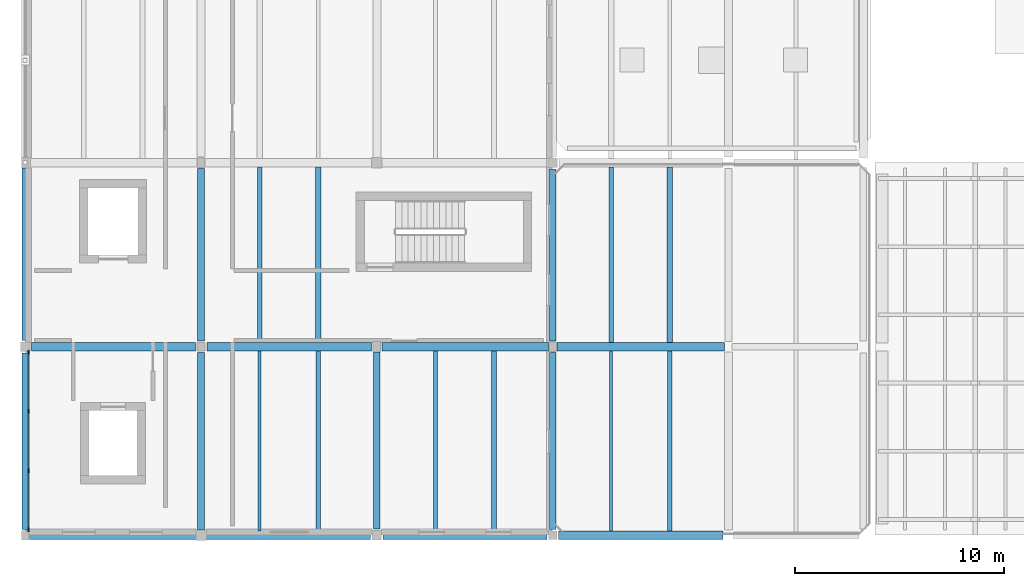
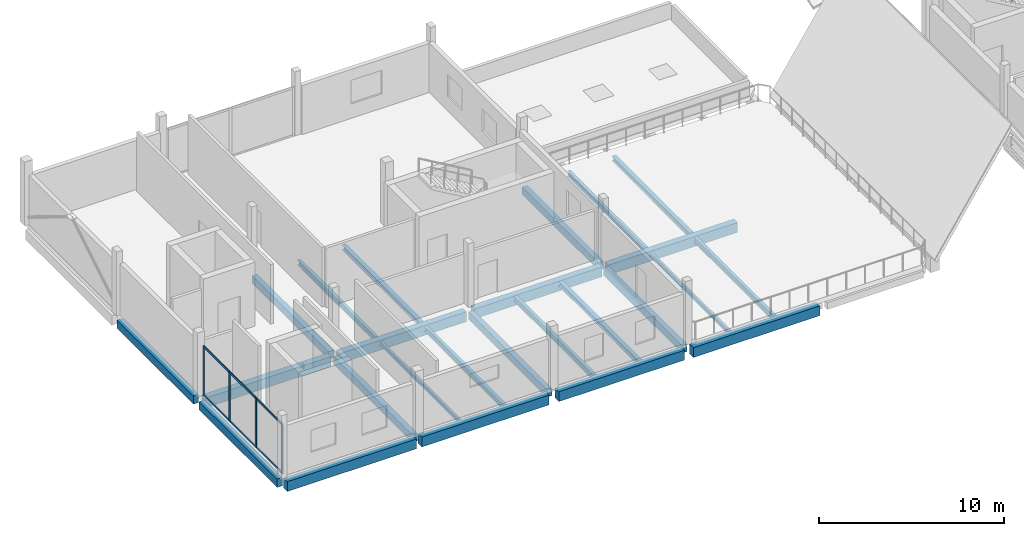
# One storey, part 3 of 35: 25 beams, 10 members, 1 element without a shape of its own.
"""IFC4 building model written with IfcOpenShell, lengths in metres."""

from ifc_helpers import new_model, si_unit, direction, frame, origin, origin_2d, place, context, subcontext, project, spatial, rectangle, i_section, extrude, material, layer, layer_set, material_profile, profile_set, type_object, element, aggregate, save


model = new_model("IFC4")

# Units and contexts
model_context = context("Model", 3, precision=1e-05, world=origin(), true_north=direction((0.0, 1.0)))
body_context = subcontext(model_context, "Body", "Model", "MODEL_VIEW")
ifc_project = project(units=[si_unit("LENGTHUNIT", "METRE"), si_unit("AREAUNIT", "SQUARE_METRE"), si_unit("VOLUMEUNIT", "CUBIC_METRE"), si_unit("PLANEANGLEUNIT", "RADIAN"), si_unit("MASSUNIT", "GRAM", prefix="KILO")], contexts=[model_context])

# Site, building, storey
site_placement = place(None, origin())
site = spatial("IfcSite", under=ifc_project, at=site_placement, CompositionType="ELEMENT")
building_placement = place(site_placement, origin())
building = spatial("IfcBuilding", under=site, at=building_placement, Name="Birchvale Park Specialist Clinic", CompositionType="ELEMENT")
storey_placement = place(building_placement, frame((0.0, 0.0, 13.800048828125)))
storey = spatial("IfcBuildingStorey", under=building, at=storey_placement, Name="L03", CompositionType="ELEMENT", Elevation=13.800048828125)

# Beams
ifc_material_1 = material(Name="Concrete C40/50", Category="concrete")
ifc_material_profile_1 = material_profile(ifc_material_1, rectangle(XDim=0.320068359375, YDim=0.5400390625, at=origin_2d()), Name="RCB-320x540")
ifc_profile_set_1 = profile_set([ifc_material_profile_1], Name="Concrete C40/50")
beam_type_1 = type_object("IfcBeamType", Name="BM-EXT-BG7", PredefinedType="BEAM", material=ifc_profile_set_1)
beam_1_placement = place(storey_placement, frame((11.199951171875, 17.074951171875, -0.550048828125), z_axis=(0.0, 1.0, 0.0), x_axis=(-1.0, 0.0, 0.0)))
element("IfcBeam", 1, at=beam_1_placement, inside=storey, type_object=beam_type_1, Name="V2 L03 Y girder 21", PredefinedType="BEAM", context=body_context, shape_type="SweptSolid", body=[
    extrude(rectangle(XDim=0.320068359375, YDim=0.5400390625, at=origin_2d()), origin(), (0.0, 0.0, 1.0), 8.425048828125),
])
beam_2_placement = place(storey_placement, frame((11.199951171875, 26.10009765625, -0.550048828125), z_axis=(0.0, 1.0, 0.0), x_axis=(-1.0, 0.0, 0.0)))
element("IfcBeam", 2, at=beam_2_placement, inside=storey, type_object=beam_type_1, Name="V2 L03 Y girder 22", PredefinedType="BEAM", context=body_context, shape_type="SweptSolid", body=[
    extrude(rectangle(XDim=0.320068359375, YDim=0.5400390625, at=origin_2d()), origin(), (0.0, 0.0, 1.0), 8.25),
])
ifc_material_profile_2 = material_profile(ifc_material_1, rectangle(XDim=0.39990234375, YDim=0.64990234375, at=origin_2d()), Name="RCB-400x650")
ifc_profile_set_2 = profile_set([ifc_material_profile_2], Name="Concrete C40/50")
beam_type_2 = type_object("IfcBeamType", Name="BM-INT-BG4", PredefinedType="BEAM", material=ifc_profile_set_2)
beam_3_placement = place(storey_placement, frame((11.39990234375, 16.800048828125, -0.60498046875), z_axis=(1.0, 0.0, 0.0), x_axis=(0.0, 1.0, 0.0)))
element("IfcBeam", 3, at=beam_3_placement, inside=storey, type_object=beam_type_2, Name="V2 L03 X girder 1", PredefinedType="BEAM", context=body_context, shape_type="SweptSolid", body=[
    extrude(rectangle(XDim=0.39990234375, YDim=0.64990234375, at=origin_2d()), origin(), (0.0, 0.0, 1.0), 8.025146484375),
])
beam_4_placement = place(storey_placement, frame((19.77490234375, 16.800048828125, -0.60498046875), z_axis=(1.0, 0.0, 0.0), x_axis=(0.0, 1.0, 0.0)))
element("IfcBeam", 4, at=beam_4_placement, inside=storey, type_object=beam_type_2, Name="V2 L03 X girder 2", PredefinedType="BEAM", context=body_context, shape_type="SweptSolid", body=[
    extrude(rectangle(XDim=0.39990234375, YDim=0.64990234375, at=origin_2d()), origin(), (0.0, 0.0, 1.0), 7.925048828125),
])
beam_5_placement = place(storey_placement, frame((28.300048828125, 16.800048828125, -0.60498046875), z_axis=(1.0, 0.0, 0.0), x_axis=(0.0, 1.0, 0.0)))
element("IfcBeam", 5, at=beam_5_placement, inside=storey, type_object=beam_type_2, Name="V2 L03 X girder 3", PredefinedType="BEAM", context=body_context, shape_type="SweptSolid", body=[
    extrude(rectangle(XDim=0.39990234375, YDim=0.64990234375, at=origin_2d()), origin(), (0.0, 0.0, 1.0), 7.824951171875),
])
beam_6_placement = place(storey_placement, frame((36.675048828125, 16.800048828125, -0.635009765625), z_axis=(1.0, 0.0, 0.0), x_axis=(0.0, 1.0, 0.0)))
element("IfcBeam", 6, at=beam_6_placement, inside=storey, type_object=beam_type_2, Name="V2 L03 X girder 4", PredefinedType="BEAM", context=body_context, shape_type="SweptSolid", body=[
    extrude(rectangle(XDim=0.39990234375, YDim=0.64990234375, at=origin_2d()), origin(), (0.0, 0.0, 1.0), 7.875),
])
beam_7_placement = place(storey_placement, frame((11.5, 25.800048828125, -0.60498046875), z_axis=(1.0, 0.0, 0.0), x_axis=(0.0, 1.0, 0.0)))
element("IfcBeam", 7, at=beam_7_placement, inside=storey, type_object=beam_type_2, Name="V2 L03 X girder 6", PredefinedType="BEAM", context=body_context, shape_type="SweptSolid", body=[
    extrude(rectangle(XDim=0.39990234375, YDim=0.64990234375, at=origin_2d()), origin(), (0.0, 0.0, 1.0), 7.824951171875),
])
beam_8_placement = place(storey_placement, frame((19.875, 25.800048828125, -0.60498046875), z_axis=(1.0, 0.0, 0.0), x_axis=(0.0, 1.0, 0.0)))
element("IfcBeam", 8, at=beam_8_placement, inside=storey, type_object=beam_type_2, Name="V2 L03 X girder 7", PredefinedType="BEAM", context=body_context, shape_type="SweptSolid", body=[
    extrude(rectangle(XDim=0.39990234375, YDim=0.64990234375, at=origin_2d()), origin(), (0.0, 0.0, 1.0), 7.875),
])
beam_9_placement = place(storey_placement, frame((28.25, 25.800048828125, -0.60498046875), z_axis=(1.0, 0.0, 0.0), x_axis=(0.0, 1.0, 0.0)))
element("IfcBeam", 9, at=beam_9_placement, inside=storey, type_object=beam_type_2, Name="V2 L03 X girder 8", PredefinedType="BEAM", context=body_context, shape_type="SweptSolid", body=[
    extrude(rectangle(XDim=0.39990234375, YDim=0.64990234375, at=origin_2d()), origin(), (0.0, 0.0, 1.0), 7.949951171875),
])
beam_10_placement = place(storey_placement, frame((36.60009765625, 25.800048828125, -0.635009765625), z_axis=(1.0, 0.0, 0.0), x_axis=(0.0, 1.0, 0.0)))
element("IfcBeam", 10, at=beam_10_placement, inside=storey, type_object=beam_type_2, Name="V2 L03 X girder 9", PredefinedType="BEAM", context=body_context, shape_type="SweptSolid", body=[
    extrude(rectangle(XDim=0.39990234375, YDim=0.64990234375, at=origin_2d()), origin(), (0.0, 0.0, 1.0), 8.02490234375),
])
ifc_material_profile_3 = material_profile(ifc_material_1, rectangle(XDim=0.320068359375, YDim=0.5, at=origin_2d()), Name="RCB-320x500")
ifc_profile_set_3 = profile_set([ifc_material_profile_3], Name="Concrete C40/50")
beam_type_3 = type_object("IfcBeamType", Name="BM-INT-BG7", PredefinedType="BEAM", material=ifc_profile_set_3)
beam_11_placement = place(storey_placement, frame((19.60009765625, 17.050048828125, -0.530029296875), z_axis=(0.0, 1.0, 0.0), x_axis=(-1.0, 0.0, 0.0)))
element("IfcBeam", 11, at=beam_11_placement, inside=storey, type_object=beam_type_3, Name="V2 L03 Y girder 24", PredefinedType="BEAM", context=body_context, shape_type="SweptSolid", body=[
    extrude(rectangle(XDim=0.320068359375, YDim=0.5, at=origin_2d()), origin(), (0.0, 0.0, 1.0), 8.474853515625),
])
beam_12_placement = place(storey_placement, frame((19.60009765625, 26.074951171875, -0.530029296875), z_axis=(0.0, 1.0, 0.0), x_axis=(-1.0, 0.0, 0.0)))
element("IfcBeam", 12, at=beam_12_placement, inside=storey, type_object=beam_type_3, Name="V2 L03 Y girder 25", PredefinedType="BEAM", context=body_context, shape_type="SweptSolid", body=[
    extrude(rectangle(XDim=0.320068359375, YDim=0.5, at=origin_2d()), origin(), (0.0, 0.0, 1.0), 8.25),
])
for number, where, z_axis, x_axis, name in (
    (13, (28.0, 17.10009765625, -0.530029296875), (0.0, 1.0, 0.0), (-1.0, 0.0, 0.0), "V2 L03 Y girder 27"),
    (14, (36.39990234375, 17.074951171875, -0.56005859375), (0.0, 1.0, 0.0), (-1.0, 0.0, 0.0), "V2 L03 Y girder 29"),
):
    element("IfcBeam", number, at=place(storey_placement, frame(where, z_axis=z_axis, x_axis=x_axis)), inside=storey, type_object=beam_type_3, Name=name, PredefinedType="BEAM", context=body_context, shape_type="SweptSolid", body=[
        extrude(rectangle(XDim=0.320068359375, YDim=0.5, at=origin_2d()), origin(), (0.0, 0.0, 1.0), 8.449951171875),
    ])
beam_13_placement = place(storey_placement, frame((36.39990234375, 26.074951171875, -0.56005859375), z_axis=(0.0, 1.0, 0.0), x_axis=(-1.0, 0.0, 0.0)))
element("IfcBeam", 15, at=beam_13_placement, inside=storey, type_object=beam_type_3, Name="V2 L03 Y girder 30", PredefinedType="BEAM", context=body_context, shape_type="SweptSolid", body=[
    extrude(rectangle(XDim=0.320068359375, YDim=0.5, at=origin_2d()), origin(), (0.0, 0.0, 1.0), 8.22509765625),
])

# Curtain wall, members
ifc_material_2 = material(Name="Thermally broken anodised aluminium", Category="aluminium")
ifc_layer = layer(ifc_material_2, 0.195068359375)
ifc_layer_set = layer_set([ifc_layer], Name="Thermally broken anodised aluminium")
curtain_wall_type = type_object("IfcCurtainWallType", Name="CW-U2", PredefinedType="USERDEFINED", material=ifc_layer_set)
curtain_wall_placement = place(storey_placement, origin())
curtain_wall = element("IfcCurtainWall", 16, at=curtain_wall_placement, inside=storey, type_object=curtain_wall_type, Name="V2 L03 glazed curtain wall 121", ObjectType="UNITISED", PredefinedType="USERDEFINED")
ifc_material_profile_4 = material_profile(ifc_material_2, rectangle(XDim=0.06494140625, YDim=0.179931640625, at=origin_2d()), Name="CWM-65x180")
ifc_profile_set_4 = profile_set([ifc_material_profile_4], Name="Thermally broken anodised aluminium")
member_type_1 = type_object("IfcMemberType", Name="CWM2", PredefinedType="MULLION", material=ifc_profile_set_4)
member_1_placement = place(storey_placement, frame((11.35498046875, 25.54248046875, 0.0), z_axis=(0.0, 0.0, 1.0), x_axis=(1.0, 0.0, 0.0)))
member_1 = element("IfcMember", 17, at=member_1_placement, type_object=member_type_1, Name="CW mullion 1", PredefinedType="MULLION", context=body_context, shape_type="SweptSolid", body=[
    extrude(rectangle(XDim=0.06494140625, YDim=0.179931640625, at=origin_2d()), origin(), (0.0, 0.0, 1.0), 3.264892578125),
])
member_2_placement = place(storey_placement, frame((11.35498046875, 22.72509765625, 0.0), z_axis=(0.0, 0.0, 1.0), x_axis=(1.0, 0.0, 0.0)))
member_2 = element("IfcMember", 18, at=member_2_placement, type_object=member_type_1, Name="CW mullion 2", PredefinedType="MULLION", context=body_context, shape_type="SweptSolid", body=[
    extrude(rectangle(XDim=0.06494140625, YDim=0.179931640625, at=origin_2d()), origin(), (0.0, 0.0, 1.0), 3.264892578125),
])
member_3_placement = place(storey_placement, frame((11.35498046875, 19.875, 0.0), z_axis=(0.0, 0.0, 1.0), x_axis=(1.0, 0.0, 0.0)))
member_3 = element("IfcMember", 19, at=member_3_placement, type_object=member_type_1, Name="CW mullion 3", PredefinedType="MULLION", context=body_context, shape_type="SweptSolid", body=[
    extrude(rectangle(XDim=0.06494140625, YDim=0.179931640625, at=origin_2d()), origin(), (0.0, 0.0, 1.0), 3.264892578125),
])
member_4_placement = place(storey_placement, frame((11.35498046875, 17.0576171875, 0.0), z_axis=(0.0, 0.0, 1.0), x_axis=(1.0, 0.0, 0.0)))
member_4 = element("IfcMember", 20, at=member_4_placement, type_object=member_type_1, Name="CW mullion 4", PredefinedType="MULLION", context=body_context, shape_type="SweptSolid", body=[
    extrude(rectangle(XDim=0.06494140625, YDim=0.179931640625, at=origin_2d()), origin(), (0.0, 0.0, 1.0), 3.264892578125),
])
ifc_material_profile_5 = material_profile(ifc_material_2, rectangle(XDim=0.06494140625, YDim=0.139892578125, at=origin_2d()), Name="CWT-65x140")
ifc_profile_set_5 = profile_set([ifc_material_profile_5], Name="Thermally broken anodised aluminium")
member_type_2 = type_object("IfcMemberType", Name="CWT2", PredefinedType="USERDEFINED", material=ifc_profile_set_5)
member_5_placement = place(storey_placement, frame((11.35498046875, 25.510009765625, 0.032470703125), z_axis=(0.0, -1.0, 0.0), x_axis=(1.0, 0.0, 0.0)))
member_5 = element("IfcMember", 21, at=member_5_placement, type_object=member_type_2, Name="CW transom 1.1", ObjectType="TRANSOM", PredefinedType="USERDEFINED", context=body_context, shape_type="SweptSolid", body=[
    extrude(rectangle(XDim=0.06494140625, YDim=0.139892578125, at=origin_2d()), origin(), (0.0, 0.0, 1.0), 2.75244140625),
])
member_6_placement = place(storey_placement, frame((11.35498046875, 25.510009765625, 3.232421875), z_axis=(0.0, -1.0, 0.0), x_axis=(1.0, 0.0, 0.0)))
member_6 = element("IfcMember", 22, at=member_6_placement, type_object=member_type_2, Name="CW transom 1.2", ObjectType="TRANSOM", PredefinedType="USERDEFINED", context=body_context, shape_type="SweptSolid", body=[
    extrude(rectangle(XDim=0.06494140625, YDim=0.139892578125, at=origin_2d()), origin(), (0.0, 0.0, 1.0), 2.75244140625),
])
member_7_placement = place(storey_placement, frame((11.35498046875, 22.6923828125, 0.032470703125), z_axis=(0.0, -1.0, 0.0), x_axis=(1.0, 0.0, 0.0)))
member_7 = element("IfcMember", 23, at=member_7_placement, type_object=member_type_2, Name="CW transom 2.1", ObjectType="TRANSOM", PredefinedType="USERDEFINED", context=body_context, shape_type="SweptSolid", body=[
    extrude(rectangle(XDim=0.06494140625, YDim=0.139892578125, at=origin_2d()), origin(), (0.0, 0.0, 1.0), 2.784912109375),
])
member_8_placement = place(storey_placement, frame((11.35498046875, 22.6923828125, 3.232421875), z_axis=(0.0, -1.0, 0.0), x_axis=(1.0, 0.0, 0.0)))
member_8 = element("IfcMember", 24, at=member_8_placement, type_object=member_type_2, Name="CW transom 2.2", ObjectType="TRANSOM", PredefinedType="USERDEFINED", context=body_context, shape_type="SweptSolid", body=[
    extrude(rectangle(XDim=0.06494140625, YDim=0.139892578125, at=origin_2d()), origin(), (0.0, 0.0, 1.0), 2.784912109375),
])
member_9_placement = place(storey_placement, frame((11.35498046875, 19.842529296875, 0.032470703125), z_axis=(0.0, -1.0, 0.0), x_axis=(1.0, 0.0, 0.0)))
member_9 = element("IfcMember", 25, at=member_9_placement, type_object=member_type_2, Name="CW transom 3.1", ObjectType="TRANSOM", PredefinedType="USERDEFINED", context=body_context, shape_type="SweptSolid", body=[
    extrude(rectangle(XDim=0.06494140625, YDim=0.139892578125, at=origin_2d()), origin(), (0.0, 0.0, 1.0), 2.75244140625),
])
member_10_placement = place(storey_placement, frame((11.35498046875, 19.842529296875, 3.232421875), z_axis=(0.0, -1.0, 0.0), x_axis=(1.0, 0.0, 0.0)))
member_10 = element("IfcMember", 26, at=member_10_placement, type_object=member_type_2, Name="CW transom 3.2", ObjectType="TRANSOM", PredefinedType="USERDEFINED", context=body_context, shape_type="SweptSolid", body=[
    extrude(rectangle(XDim=0.06494140625, YDim=0.139892578125, at=origin_2d()), origin(), (0.0, 0.0, 1.0), 2.75244140625),
])
aggregate(curtain_wall, [member_1, member_2, member_3, member_4, member_5, member_6, member_7, member_8, member_9, member_10])

# Beams
ifc_material_3 = material(Name="Steel ASTM A992 Grade 50", Category="steel")
ifc_material_profile_6 = material_profile(ifc_material_3, i_section(OverallWidth=0.2041015625, OverallDepth=0.35107421875, WebThickness=0.008544921875, FlangeThickness=0.01513671875, at=origin_2d()), Name="W14X48")
ifc_profile_set_6 = profile_set([ifc_material_profile_6], Name="Steel ASTM A992 Grade 50")
beam_type_4 = type_object("IfcBeamType", Name="STL-INT-SJ1", PredefinedType="JOIST", material=ifc_profile_set_6)
beam_14_placement = place(storey_placement, frame((25.199951171875, 17.0, -0.45556640625), z_axis=(0.0, 1.0, 0.0), x_axis=(-1.0, 0.0, 0.0)))
element("IfcBeam", 27, at=beam_14_placement, inside=storey, type_object=beam_type_4, Name="V2 L03 secondary floor joist 4", PredefinedType="JOIST", context=body_context, shape_type="SweptSolid", body=[
    extrude(i_section(OverallWidth=0.2041015625, OverallDepth=0.35107421875, WebThickness=0.008544921875, FlangeThickness=0.01513671875, at=origin_2d()), origin(), (0.0, 0.0, 1.0), 8.60009765625),
])
beam_15_placement = place(storey_placement, frame((22.39990234375, 26.0, -0.45556640625), z_axis=(0.0, 1.0, 0.0), x_axis=(-1.0, 0.0, 0.0)))
element("IfcBeam", 28, at=beam_15_placement, inside=storey, type_object=beam_type_4, Name="V2 L03 secondary floor joist 5", PredefinedType="JOIST", context=body_context, shape_type="SweptSolid", body=[
    extrude(i_section(OverallWidth=0.2041015625, OverallDepth=0.35107421875, WebThickness=0.008544921875, FlangeThickness=0.01513671875, at=origin_2d()), origin(), (0.0, 0.0, 1.0), 8.39990234375),
])
for number, where, z_axis, x_axis, name in (
    (29, (30.800048828125, 17.0, -0.45556640625), (0.0, 1.0, 0.0), (-1.0, 0.0, 0.0), "V2 L03 secondary floor joist 9"),
    (30, (42.0, 17.0, -0.485595703125), (0.0, 1.0, 0.0), (-1.0, 0.0, 0.0), "V2 L03 secondary floor joist 14"),
):
    element("IfcBeam", number, at=place(storey_placement, frame(where, z_axis=z_axis, x_axis=x_axis)), inside=storey, type_object=beam_type_4, Name=name, PredefinedType="JOIST", context=body_context, shape_type="SweptSolid", body=[
        extrude(i_section(OverallWidth=0.2041015625, OverallDepth=0.35107421875, WebThickness=0.008544921875, FlangeThickness=0.01513671875, at=origin_2d()), origin(), (0.0, 0.0, 1.0), 8.60009765625),
    ])
beam_16_placement = place(storey_placement, frame((39.199951171875, 26.0, -0.485595703125), z_axis=(0.0, 1.0, 0.0), x_axis=(-1.0, 0.0, 0.0)))
element("IfcBeam", 31, at=beam_16_placement, inside=storey, type_object=beam_type_4, Name="V2 L03 secondary floor joist 15", PredefinedType="JOIST", context=body_context, shape_type="SweptSolid", body=[
    extrude(i_section(OverallWidth=0.2041015625, OverallDepth=0.35107421875, WebThickness=0.008544921875, FlangeThickness=0.01513671875, at=origin_2d()), origin(), (0.0, 0.0, 1.0), 8.39990234375),
])
ifc_material_profile_7 = material_profile(ifc_material_3, i_section(OverallWidth=0.25390625, OverallDepth=0.305908203125, WebThickness=0.0087890625, FlangeThickness=0.0146484375, at=origin_2d()), Name="W12X53")
ifc_profile_set_7 = profile_set([ifc_material_profile_7], Name="Steel ASTM A992 Grade 50")
beam_type_5 = type_object("IfcBeamType", Name="STL-INT-SJ2", PredefinedType="JOIST", material=ifc_profile_set_7)
beam_17_placement = place(storey_placement, frame((25.199951171875, 26.0, -0.43310546875), z_axis=(0.0, 1.0, 0.0), x_axis=(-1.0, 0.0, 0.0)))
element("IfcBeam", 32, at=beam_17_placement, inside=storey, type_object=beam_type_5, Name="V2 L03 secondary floor joist 6", PredefinedType="JOIST", context=body_context, shape_type="SweptSolid", body=[
    extrude(i_section(OverallWidth=0.25390625, OverallDepth=0.305908203125, WebThickness=0.0087890625, FlangeThickness=0.0146484375, at=origin_2d()), origin(), (0.0, 0.0, 1.0), 8.39990234375),
])
beam_18_placement = place(storey_placement, frame((33.60009765625, 17.0, -0.43310546875), z_axis=(0.0, 1.0, 0.0), x_axis=(-1.0, 0.0, 0.0)))
element("IfcBeam", 33, at=beam_18_placement, inside=storey, type_object=beam_type_5, Name="V2 L03 secondary floor joist 10", PredefinedType="JOIST", context=body_context, shape_type="SweptSolid", body=[
    extrude(i_section(OverallWidth=0.25390625, OverallDepth=0.305908203125, WebThickness=0.0087890625, FlangeThickness=0.0146484375, at=origin_2d()), origin(), (0.0, 0.0, 1.0), 8.60009765625),
])
beam_19_placement = place(storey_placement, frame((42.0, 26.0, -0.463134765625), z_axis=(0.0, 1.0, 0.0), x_axis=(-1.0, 0.0, 0.0)))
element("IfcBeam", 34, at=beam_19_placement, inside=storey, type_object=beam_type_5, Name="V2 L03 secondary floor joist 16", PredefinedType="JOIST", context=body_context, shape_type="SweptSolid", body=[
    extrude(i_section(OverallWidth=0.25390625, OverallDepth=0.305908203125, WebThickness=0.0087890625, FlangeThickness=0.0146484375, at=origin_2d()), origin(), (0.0, 0.0, 1.0), 8.39990234375),
])
ifc_material_profile_8 = material_profile(ifc_material_3, i_section(OverallWidth=0.14697265625, OverallDepth=0.261962890625, WebThickness=0.006591796875, FlangeThickness=0.01123046875, at=origin_2d()), Name="W10X26")
ifc_profile_set_8 = profile_set([ifc_material_profile_8], Name="Steel ASTM A992 Grade 50")
beam_type_6 = type_object("IfcBeamType", Name="STL-INT-SJ5", PredefinedType="JOIST", material=ifc_profile_set_8)
for number, where, z_axis, x_axis, name in (
    (35, (22.39990234375, 17.0, -0.4111328125), (0.0, 1.0, 0.0), (-1.0, 0.0, 0.0), "V2 L03 secondary floor joist 3"),
    (36, (39.199951171875, 17.0, -0.441162109375), (0.0, 1.0, 0.0), (-1.0, 0.0, 0.0), "V2 L03 secondary floor joist 13"),
):
    element("IfcBeam", number, at=place(storey_placement, frame(where, z_axis=z_axis, x_axis=x_axis)), inside=storey, type_object=beam_type_6, Name=name, PredefinedType="JOIST", context=body_context, shape_type="SweptSolid", body=[
        extrude(i_section(OverallWidth=0.14697265625, OverallDepth=0.261962890625, WebThickness=0.006591796875, FlangeThickness=0.01123046875, at=origin_2d()), origin(), (0.0, 0.0, 1.0), 8.60009765625),
    ])

save(model, "model.ifc")
